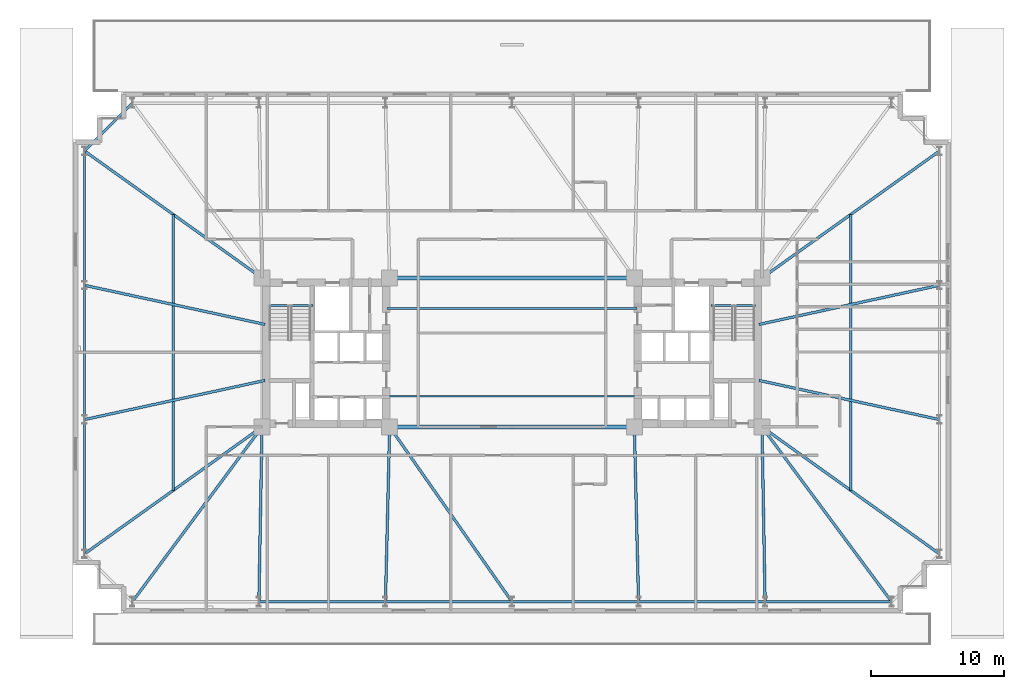
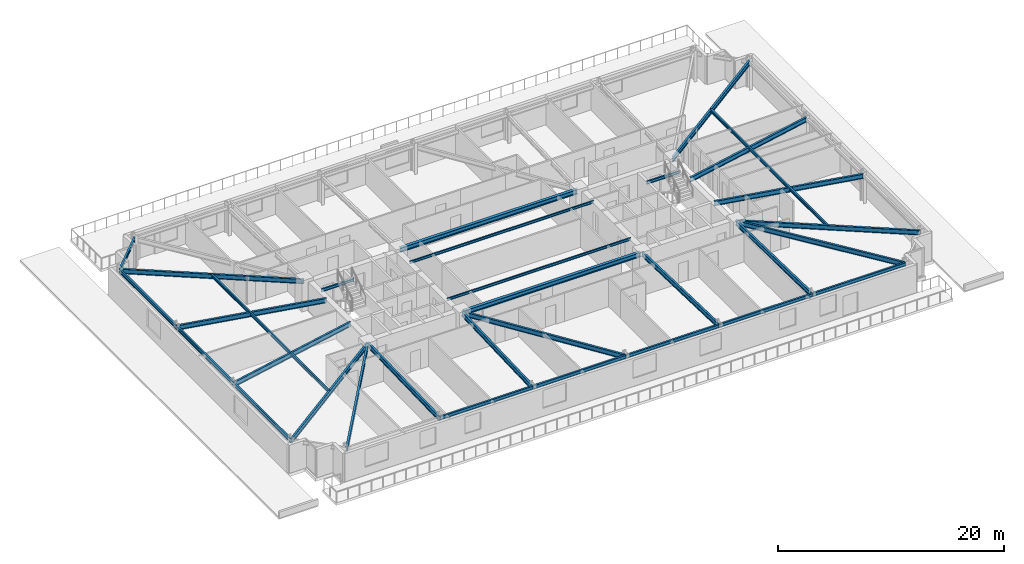
# One storey, part 5 of 21: 32 beams.
"""IFC4 building model written with IfcOpenShell, lengths in metres."""

from ifc_helpers import new_model, si_unit, direction, frame, origin, origin_2d, place, context, subcontext, project, spatial, i_section, extrude, material, material_profile, profile_set, type_object, element, save


model = new_model("IFC4")

# Units and contexts
model_context = context("Model", 3, precision=1e-05, world=origin(), true_north=direction((0.0, 1.0)))
body_context = subcontext(model_context, "Body", "Model", "MODEL_VIEW")
ifc_project = project(units=[si_unit("LENGTHUNIT", "METRE"), si_unit("AREAUNIT", "SQUARE_METRE"), si_unit("VOLUMEUNIT", "CUBIC_METRE"), si_unit("PLANEANGLEUNIT", "RADIAN"), si_unit("MASSUNIT", "GRAM", prefix="KILO")], contexts=[model_context])

# Site, building, storey
site_placement = place(None, origin())
site = spatial("IfcSite", under=ifc_project, at=site_placement, CompositionType="ELEMENT")
building_placement = place(site_placement, origin())
building = spatial("IfcBuilding", under=site, at=building_placement, Name="Qobustan Lattice House", CompositionType="ELEMENT")
storey_placement = place(building_placement, frame((0.0, 0.0, 27.0)))
storey = spatial("IfcBuildingStorey", under=building, at=storey_placement, Name="L06", CompositionType="ELEMENT", Elevation=27.0)

# Beams
ifc_material_1 = material(Name="Steel S355", Category="steel")
ifc_material_profile_1 = material_profile(ifc_material_1, i_section(OverallWidth=0.300048828125, OverallDepth=0.5, WebThickness=0.014404296875, FlangeThickness=0.028076171875, FilletRadius=0.027099609375, at=origin_2d()), Name="HEB500")
ifc_profile_set_1 = profile_set([ifc_material_profile_1], Name="Steel S355")
beam_type_1 = type_object("IfcBeamType", Name="BM-CG-HEB500", PredefinedType="USERDEFINED", material=ifc_profile_set_1)
for number, where, z_axis, x_axis, name in (
    (1, (-9.050048828125, -5.60009765625, 2.784912109375), (1.0, 0.0, 0.0), (0.0, 1.0, 0.0), "L06 core spine girder CG-CS"),
    (2, (-9.050048828125, 5.60009765625, 2.784912109375), (1.0, 0.0, 0.0), (0.0, 1.0, 0.0), "L06 core spine girder CG-CN"),
):
    element("IfcBeam", number, at=place(storey_placement, frame(where, z_axis=z_axis, x_axis=x_axis)), inside=storey, type_object=beam_type_1, Name=name, ObjectType="GIRDER", PredefinedType="USERDEFINED", context=body_context, shape_type="SweptSolid", body=[
        extrude(i_section(OverallWidth=0.300048828125, OverallDepth=0.5, WebThickness=0.014404296875, FlangeThickness=0.028076171875, FilletRadius=0.027099609375, at=origin_2d()), origin(), (0.0, 0.0, 1.0), 18.10009765625),
    ])
ifc_material_2 = material(Name="Steel S355", Category="steel")
ifc_material_profile_2 = material_profile(ifc_material_2, i_section(OverallWidth=0.199951171875, OverallDepth=0.5, WebThickness=0.01025390625, FlangeThickness=0.01611328125, FilletRadius=0.02099609375, at=origin_2d()), Name="IPE500")
ifc_profile_set_2 = profile_set([ifc_material_profile_2], Name="Steel S355")
beam_type_2 = type_object("IfcBeamType", Name="BM-FLG-IPE500", PredefinedType="USERDEFINED", material=ifc_profile_set_2)
beam_1_placement = place(storey_placement, frame((-28.53515625, -18.72998046875, 2.784912109375), z_axis=(0.5955916815, 0.803287338956, 0.0), x_axis=(-0.803287338956, 0.5955916815, 0.0)))
element("IfcBeam", 3, at=beam_1_placement, inside=storey, type_object=beam_type_2, Name="L06 primary floor girder RAD-S1W", ObjectType="GIRDER", PredefinedType="USERDEFINED", context=body_context, shape_type="SweptSolid", body=[
    extrude(i_section(OverallWidth=0.199951171875, OverallDepth=0.5, WebThickness=0.01025390625, FlangeThickness=0.01611328125, FilletRadius=0.02099609375, at=origin_2d()), origin(), (0.0, 0.0, 1.0), 16.3203125),
])
beam_2_placement = place(storey_placement, frame((-19.032958984375, -18.72509765625, 2.784912109375), z_axis=(0.017757831607, 0.999842317276, 0.0), x_axis=(-0.999842317276, 0.017757831607, 0.0)))
element("IfcBeam", 4, at=beam_2_placement, inside=storey, type_object=beam_type_2, Name="L06 primary floor girder RAD-S2", ObjectType="GIRDER", PredefinedType="USERDEFINED", context=body_context, shape_type="SweptSolid", body=[
    extrude(i_section(OverallWidth=0.199951171875, OverallDepth=0.5, WebThickness=0.01025390625, FlangeThickness=0.01611328125, FilletRadius=0.02099609375, at=origin_2d()), origin(), (0.0, 0.0, 1.0), 13.10205078125),
])
beam_3_placement = place(storey_placement, frame((-9.51611328125, -18.72509765625, 2.784912109375), z_axis=(0.024071445657, 0.999710240772, 0.0), x_axis=(-0.999710240772, 0.024071445657, 0.0)))
element("IfcBeam", 5, at=beam_3_placement, inside=storey, type_object=beam_type_2, Name="L06 primary floor girder RAD-S3", ObjectType="GIRDER", PredefinedType="USERDEFINED", context=body_context, shape_type="SweptSolid", body=[
    extrude(i_section(OverallWidth=0.199951171875, OverallDepth=0.5, WebThickness=0.01025390625, FlangeThickness=0.01611328125, FilletRadius=0.02099609375, at=origin_2d()), origin(), (0.0, 0.0, 1.0), 13.10400390625),
])
beam_4_placement = place(storey_placement, frame((-0.014404296875, -18.7294921875, 2.784912109375), z_axis=(-0.57325954206, 0.819373844736, 0.0), x_axis=(-0.819373844736, -0.57325954206, 0.0)))
element("IfcBeam", 6, at=beam_4_placement, inside=storey, type_object=beam_type_2, Name="L06 primary floor girder RAD-S4", ObjectType="GIRDER", PredefinedType="USERDEFINED", context=body_context, shape_type="SweptSolid", body=[
    extrude(i_section(OverallWidth=0.199951171875, OverallDepth=0.5, WebThickness=0.01025390625, FlangeThickness=0.01611328125, FilletRadius=0.02099609375, at=origin_2d()), origin(), (0.0, 0.0, 1.0), 15.998779296875),
])
beam_5_placement = place(storey_placement, frame((9.51611328125, -18.72509765625, 2.784912109375), z_axis=(-0.024071445657, 0.999710240772, 0.0), x_axis=(-0.999710240772, -0.024071445657, 0.0)))
element("IfcBeam", 7, at=beam_5_placement, inside=storey, type_object=beam_type_2, Name="L06 primary floor girder RAD-S5", ObjectType="GIRDER", PredefinedType="USERDEFINED", context=body_context, shape_type="SweptSolid", body=[
    extrude(i_section(OverallWidth=0.199951171875, OverallDepth=0.5, WebThickness=0.01025390625, FlangeThickness=0.01611328125, FilletRadius=0.02099609375, at=origin_2d()), origin(), (0.0, 0.0, 1.0), 13.10400390625),
])
beam_6_placement = place(storey_placement, frame((19.032958984375, -18.72509765625, 2.784912109375), z_axis=(-0.017757831607, 0.999842317276, 0.0), x_axis=(-0.999842317276, -0.017757831607, 0.0)))
element("IfcBeam", 8, at=beam_6_placement, inside=storey, type_object=beam_type_2, Name="L06 primary floor girder RAD-S6", ObjectType="GIRDER", PredefinedType="USERDEFINED", context=body_context, shape_type="SweptSolid", body=[
    extrude(i_section(OverallWidth=0.199951171875, OverallDepth=0.5, WebThickness=0.01025390625, FlangeThickness=0.01611328125, FilletRadius=0.02099609375, at=origin_2d()), origin(), (0.0, 0.0, 1.0), 13.10205078125),
])
beam_7_placement = place(storey_placement, frame((28.53515625, -18.72998046875, 2.784912109375), z_axis=(-0.5955916815, 0.803287338956, 0.0), x_axis=(-0.803287338956, -0.5955916815, 0.0)))
element("IfcBeam", 9, at=beam_7_placement, inside=storey, type_object=beam_type_2, Name="L06 primary floor girder RAD-S7E", ObjectType="GIRDER", PredefinedType="USERDEFINED", context=body_context, shape_type="SweptSolid", body=[
    extrude(i_section(OverallWidth=0.199951171875, OverallDepth=0.5, WebThickness=0.01025390625, FlangeThickness=0.01611328125, FilletRadius=0.02099609375, at=origin_2d()), origin(), (0.0, 0.0, 1.0), 16.3203125),
])
beam_8_placement = place(storey_placement, frame((-32.129638671875, 15.135498046875, 2.784912109375), z_axis=(0.813318954893, -0.581818079481, 0.0), x_axis=(0.581818079481, 0.813318954893, 0.0)))
element("IfcBeam", 10, at=beam_8_placement, inside=storey, type_object=beam_type_2, Name="L06 primary floor girder RAD-W1", ObjectType="GIRDER", PredefinedType="USERDEFINED", context=body_context, shape_type="SweptSolid", body=[
    extrude(i_section(OverallWidth=0.199951171875, OverallDepth=0.5, WebThickness=0.01025390625, FlangeThickness=0.01611328125, FilletRadius=0.02099609375, at=origin_2d()), origin(), (0.0, 0.0, 1.0), 16.3642578125),
])
for number, where, z_axis, x_axis, name in (
    (11, (-32.12548828125, 5.044677734375, 2.784912109375), (0.97727240275, -0.211987383643, 0.0), (0.211987383643, 0.97727240275, 0.0), "L06 primary floor girder RAD-W2"),
    (12, (-32.12548828125, -5.044677734375, 2.784912109375), (0.97727240275, 0.211987383643, 0.0), (-0.211987383643, 0.97727240275, 0.0), "L06 primary floor girder RAD-W3"),
):
    element("IfcBeam", number, at=place(storey_placement, frame(where, z_axis=z_axis, x_axis=x_axis)), inside=storey, type_object=beam_type_2, Name=name, ObjectType="GIRDER", PredefinedType="USERDEFINED", context=body_context, shape_type="SweptSolid", body=[
        extrude(i_section(OverallWidth=0.199951171875, OverallDepth=0.5, WebThickness=0.01025390625, FlangeThickness=0.01611328125, FilletRadius=0.02099609375, at=origin_2d()), origin(), (0.0, 0.0, 1.0), 13.8662109375),
    ])
for number, where, z_axis, x_axis, name in (
    (13, (-32.129638671875, -15.135498046875, 2.784912109375), (0.813318954893, 0.581818079481, 0.0), (-0.581818079481, 0.813318954893, 0.0), "L06 primary floor girder RAD-W4"),
    (14, (32.129638671875, 15.135498046875, 2.784912109375), (-0.813318954893, -0.581818079481, 0.0), (0.581818079481, -0.813318954893, 0.0), "L06 primary floor girder RAD-E4"),
):
    element("IfcBeam", number, at=place(storey_placement, frame(where, z_axis=z_axis, x_axis=x_axis)), inside=storey, type_object=beam_type_2, Name=name, ObjectType="GIRDER", PredefinedType="USERDEFINED", context=body_context, shape_type="SweptSolid", body=[
        extrude(i_section(OverallWidth=0.199951171875, OverallDepth=0.5, WebThickness=0.01025390625, FlangeThickness=0.01611328125, FilletRadius=0.02099609375, at=origin_2d()), origin(), (0.0, 0.0, 1.0), 16.3642578125),
    ])
for number, where, z_axis, x_axis, name in (
    (15, (32.12548828125, 5.044677734375, 2.784912109375), (-0.97727240275, -0.211987383643, 0.0), (0.211987383643, -0.97727240275, 0.0), "L06 primary floor girder RAD-E3"),
    (16, (32.12548828125, -5.044677734375, 2.784912109375), (-0.97727240275, 0.211987383643, 0.0), (-0.211987383643, -0.97727240275, 0.0), "L06 primary floor girder RAD-E2"),
):
    element("IfcBeam", number, at=place(storey_placement, frame(where, z_axis=z_axis, x_axis=x_axis)), inside=storey, type_object=beam_type_2, Name=name, ObjectType="GIRDER", PredefinedType="USERDEFINED", context=body_context, shape_type="SweptSolid", body=[
        extrude(i_section(OverallWidth=0.199951171875, OverallDepth=0.5, WebThickness=0.01025390625, FlangeThickness=0.01611328125, FilletRadius=0.02099609375, at=origin_2d()), origin(), (0.0, 0.0, 1.0), 13.8662109375),
    ])
beam_9_placement = place(storey_placement, frame((32.129638671875, -15.135498046875, 2.784912109375), z_axis=(-0.813318954893, 0.581818079481, 0.0), x_axis=(-0.581818079481, -0.813318954893, 0.0)))
element("IfcBeam", 17, at=beam_9_placement, inside=storey, type_object=beam_type_2, Name="L06 primary floor girder RAD-E1", ObjectType="GIRDER", PredefinedType="USERDEFINED", context=body_context, shape_type="SweptSolid", body=[
    extrude(i_section(OverallWidth=0.199951171875, OverallDepth=0.5, WebThickness=0.01025390625, FlangeThickness=0.01611328125, FilletRadius=0.02099609375, at=origin_2d()), origin(), (0.0, 0.0, 1.0), 16.3642578125),
])
ifc_material_3 = material(Name="Steel S355", Category="steel")
ifc_material_profile_3 = material_profile(ifc_material_3, i_section(OverallWidth=0.135009765625, OverallDepth=0.27001953125, WebThickness=0.006591796875, FlangeThickness=0.01025390625, FilletRadius=0.014892578125, at=origin_2d()), Name="IPE270")
ifc_profile_set_3 = profile_set([ifc_material_profile_3], Name="Steel S355")
beam_type_3 = type_object("IfcBeamType", Name="BM-JST-IPE270", PredefinedType="JOIST", material=ifc_profile_set_3)
for number, where, z_axis, x_axis, name in (
    (18, (-9.39990234375, -3.300048828125, 2.89990234375), (1.0, 0.0, 0.0), (0.0, 1.0, 0.0), "L06 central span floor joist 1"),
    (19, (-9.39990234375, 3.300048828125, 2.89990234375), (1.0, 0.0, 0.0), (0.0, 1.0, 0.0), "L06 central span floor joist 2"),
):
    element("IfcBeam", number, at=place(storey_placement, frame(where, z_axis=z_axis, x_axis=x_axis)), inside=storey, type_object=beam_type_3, Name=name, PredefinedType="JOIST", context=body_context, shape_type="SweptSolid", body=[
        extrude(i_section(OverallWidth=0.135009765625, OverallDepth=0.27001953125, WebThickness=0.006591796875, FlangeThickness=0.01025390625, FilletRadius=0.014892578125, at=origin_2d()), origin(), (0.0, 0.0, 1.0), 18.7998046875),
    ])
ifc_material_4 = material(Name="Steel S355", Category="steel")
ifc_material_profile_4 = material_profile(ifc_material_4, i_section(OverallWidth=0.159912109375, OverallDepth=0.330078125, WebThickness=0.007568359375, FlangeThickness=0.011474609375, FilletRadius=0.01806640625, at=origin_2d()), Name="IPE330")
ifc_profile_set_4 = profile_set([ifc_material_profile_4], Name="Steel S355")
beam_type_4 = type_object("IfcBeamType", Name="BM-SEC-IPE330", PredefinedType="BEAM", material=ifc_profile_set_4)
for number, where, z_axis, x_axis, name in (
    (20, (-25.47509765625, 10.375, 2.8701171875), (0.0, -1.0, 0.0), (1.0, 0.0, 0.0), "L06 west wing secondary beam"),
    (21, (25.47509765625, 10.375, 2.8701171875), (0.0, -1.0, 0.0), (1.0, 0.0, 0.0), "L06 east wing secondary beam"),
):
    element("IfcBeam", number, at=place(storey_placement, frame(where, z_axis=z_axis, x_axis=x_axis)), inside=storey, type_object=beam_type_4, Name=name, PredefinedType="BEAM", context=body_context, shape_type="SweptSolid", body=[
        extrude(i_section(OverallWidth=0.159912109375, OverallDepth=0.330078125, WebThickness=0.007568359375, FlangeThickness=0.011474609375, FilletRadius=0.01806640625, at=origin_2d()), origin(), (0.0, 0.0, 1.0), 20.75),
    ])
ifc_material_5 = material(Name="Steel S355", Category="steel")
ifc_material_profile_5 = material_profile(ifc_material_5, i_section(OverallWidth=0.159912109375, OverallDepth=0.330078125, WebThickness=0.007568359375, FlangeThickness=0.011474609375, FilletRadius=0.01806640625, at=origin_2d()), Name="IPE330")
ifc_profile_set_5 = profile_set([ifc_material_profile_5], Name="Steel S355")
beam_type_5 = type_object("IfcBeamType", Name="BM-SPD-IPE330", PredefinedType="SPANDREL", material=ifc_profile_set_5)
for number, where, z_axis, x_axis, name in (
    (22, (-18.300048828125, 3.52001953125, 2.8701171875), (1.0, 0.0, 0.0), (0.0, 1.0, 0.0), "L06 west stair landing trimmer beam"),
    (23, (14.949951171875, 3.52001953125, 2.8701171875), (1.0, 0.0, 0.0), (0.0, 1.0, 0.0), "L06 east stair landing trimmer beam"),
):
    element("IfcBeam", number, at=place(storey_placement, frame(where, z_axis=z_axis, x_axis=x_axis)), inside=storey, type_object=beam_type_5, Name=name, PredefinedType="SPANDREL", context=body_context, shape_type="SweptSolid", body=[
        extrude(i_section(OverallWidth=0.159912109375, OverallDepth=0.330078125, WebThickness=0.007568359375, FlangeThickness=0.011474609375, FilletRadius=0.01806640625, at=origin_2d()), origin(), (0.0, 0.0, 1.0), 3.35009765625),
    ])
ifc_material_6 = material(Name="Steel S355", Category="steel")
ifc_material_profile_6 = material_profile(ifc_material_6, i_section(OverallWidth=0.179931640625, OverallDepth=0.39990234375, WebThickness=0.008544921875, FlangeThickness=0.013427734375, FilletRadius=0.02099609375, at=origin_2d()), Name="IPE400")
ifc_profile_set_6 = profile_set([ifc_material_profile_6], Name="Steel S355")
beam_type_6 = type_object("IfcBeamType", Name="BM-SPD-IPE400", PredefinedType="SPANDREL", material=ifc_profile_set_6)
beam_10_placement = place(storey_placement, frame((-19.00830078125, -18.75, 2.8349609375), z_axis=(1.0, 0.0, 0.0), x_axis=(0.0, 1.0, 0.0)))
element("IfcBeam", 24, at=beam_10_placement, inside=storey, type_object=beam_type_6, Name="L06 perimeter spandrel S2-S3", PredefinedType="SPANDREL", context=body_context, shape_type="SweptSolid", body=[
    extrude(i_section(OverallWidth=0.179931640625, OverallDepth=0.39990234375, WebThickness=0.008544921875, FlangeThickness=0.013427734375, FilletRadius=0.02099609375, at=origin_2d()), origin(), (0.0, 0.0, 1.0), 9.466552734375),
])
for number, where, z_axis, x_axis, name in (
    (25, (-9.49169921875, -18.75, 2.8349609375), (1.0, 0.0, 0.0), (0.0, 1.0, 0.0), "L06 perimeter spandrel S3-S4"),
    (26, (0.02490234375, -18.75, 2.8349609375), (1.0, 0.0, 0.0), (0.0, 1.0, 0.0), "L06 perimeter spandrel S4-S5"),
):
    element("IfcBeam", number, at=place(storey_placement, frame(where, z_axis=z_axis, x_axis=x_axis)), inside=storey, type_object=beam_type_6, Name=name, PredefinedType="SPANDREL", context=body_context, shape_type="SweptSolid", body=[
        extrude(i_section(OverallWidth=0.179931640625, OverallDepth=0.39990234375, WebThickness=0.008544921875, FlangeThickness=0.013427734375, FilletRadius=0.02099609375, at=origin_2d()), origin(), (0.0, 0.0, 1.0), 9.466796875),
    ])
for number, where, z_axis, x_axis, name in (
    (27, (9.541748046875, -18.75, 2.8349609375), (1.0, 0.0, 0.0), (0.0, 1.0, 0.0), "L06 perimeter spandrel S5-S6"),
    (28, (19.058349609375, -18.75, 2.8349609375), (1.0, 0.0, 0.0), (0.0, 1.0, 0.0), "L06 perimeter spandrel S6-S7"),
):
    element("IfcBeam", number, at=place(storey_placement, frame(where, z_axis=z_axis, x_axis=x_axis)), inside=storey, type_object=beam_type_6, Name=name, PredefinedType="SPANDREL", context=body_context, shape_type="SweptSolid", body=[
        extrude(i_section(OverallWidth=0.179931640625, OverallDepth=0.39990234375, WebThickness=0.008544921875, FlangeThickness=0.013427734375, FilletRadius=0.02099609375, at=origin_2d()), origin(), (0.0, 0.0, 1.0), 9.466552734375),
    ])
beam_11_placement = place(storey_placement, frame((-28.567626953125, 18.732421875, 2.8349609375), z_axis=(-0.707106781187, -0.707106781187, 0.0), x_axis=(0.707106781187, -0.707106781187, 0.0)))
element("IfcBeam", 29, at=beam_11_placement, inside=storey, type_object=beam_type_6, Name="L06 perimeter spandrel N7-W1", PredefinedType="SPANDREL", context=body_context, shape_type="SweptSolid", body=[
    extrude(i_section(OverallWidth=0.179931640625, OverallDepth=0.39990234375, WebThickness=0.008544921875, FlangeThickness=0.013427734375, FilletRadius=0.02099609375, at=origin_2d()), origin(), (0.0, 0.0, 1.0), 5.041259765625),
])
beam_12_placement = place(storey_placement, frame((-32.14990234375, 15.125, 2.8349609375), z_axis=(0.0, -1.0, 0.0), x_axis=(1.0, 0.0, 0.0)))
element("IfcBeam", 30, at=beam_12_placement, inside=storey, type_object=beam_type_6, Name="L06 perimeter spandrel W1-W2", PredefinedType="SPANDREL", context=body_context, shape_type="SweptSolid", body=[
    extrude(i_section(OverallWidth=0.179931640625, OverallDepth=0.39990234375, WebThickness=0.008544921875, FlangeThickness=0.013427734375, FilletRadius=0.02099609375, at=origin_2d()), origin(), (0.0, 0.0, 1.0), 10.050048828125),
])
beam_13_placement = place(storey_placement, frame((-32.14990234375, 5.02490234375, 2.8349609375), z_axis=(0.0, -1.0, 0.0), x_axis=(1.0, 0.0, 0.0)))
element("IfcBeam", 31, at=beam_13_placement, inside=storey, type_object=beam_type_6, Name="L06 perimeter spandrel W2-W3", PredefinedType="SPANDREL", context=body_context, shape_type="SweptSolid", body=[
    extrude(i_section(OverallWidth=0.179931640625, OverallDepth=0.39990234375, WebThickness=0.008544921875, FlangeThickness=0.013427734375, FilletRadius=0.02099609375, at=origin_2d()), origin(), (0.0, 0.0, 1.0), 10.0498046875),
])
beam_14_placement = place(storey_placement, frame((-32.14990234375, -5.074951171875, 2.8349609375), z_axis=(0.0, -1.0, 0.0), x_axis=(1.0, 0.0, 0.0)))
element("IfcBeam", 32, at=beam_14_placement, inside=storey, type_object=beam_type_6, Name="L06 perimeter spandrel W3-W4", PredefinedType="SPANDREL", context=body_context, shape_type="SweptSolid", body=[
    extrude(i_section(OverallWidth=0.179931640625, OverallDepth=0.39990234375, WebThickness=0.008544921875, FlangeThickness=0.013427734375, FilletRadius=0.02099609375, at=origin_2d()), origin(), (0.0, 0.0, 1.0), 10.050048828125),
])

save(model, "model.ifc")
